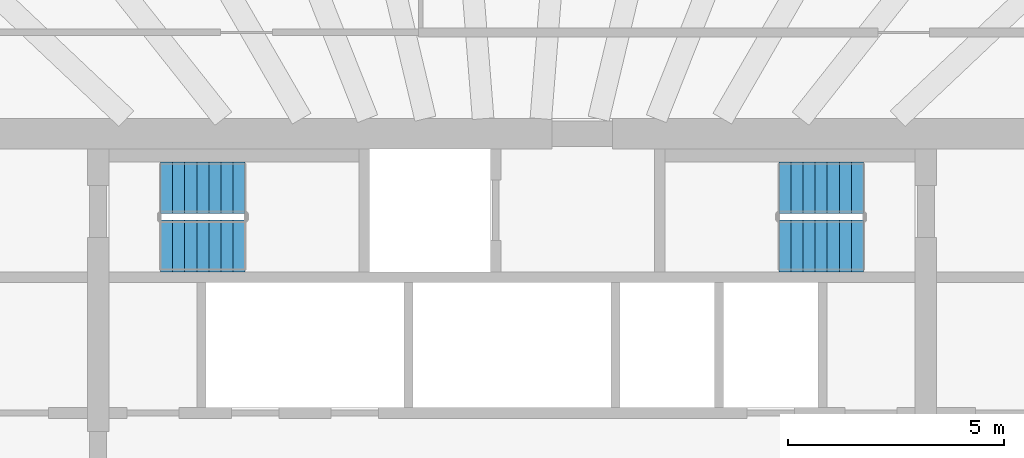
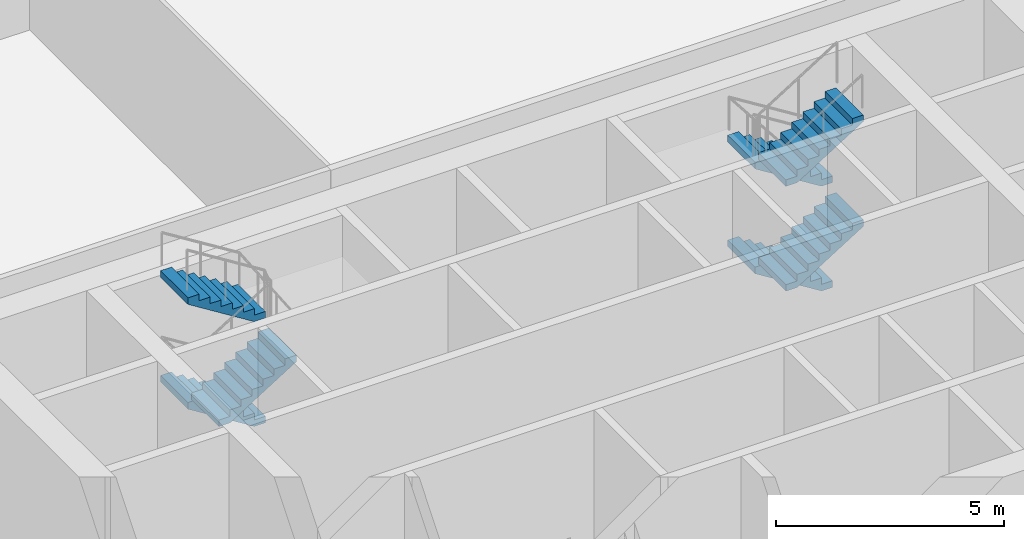
# One storey, part 6 of 8: 7 stair flights, 2 elements without a shape of their own.
"""IFC4 building model written with IfcOpenShell, lengths in metres."""

import ifcopenshell
import ifcopenshell.guid

model = None  # the IFC model being written
_history = None  # IfcOwnerHistory: only IFC2X3 demands one
_inside = {}  # id of a spatial element -> (the spatial element, [elements in it])
_under = {}  # id of a project, library or spatial element -> (it, [spatial elements below it])
_declared = {}  # id of a project -> (the project, [libraries it declares])
_typed = {}  # id of a type object -> (the type object, [elements of that type])
_made_of = {}  # id of a material, layer set ... -> (it, [elements and type objects made of it])


def new_model(schema):
    """Start an empty IFC model of exactly this schema.

    Asked for "IFC4X3", IfcOpenShell would pick the latest addendum, in which some entities
    have other attributes; the version numbers below select the first issue.
    IFC2X3 requires an IfcOwnerHistory on every rooted entity: one is made here for all.
    """
    global model, _history
    if schema == "IFC4X3":
        model = ifcopenshell.file(schema_version=(4, 3, 0, 0))
    else:
        model = ifcopenshell.file(schema=schema)
    _inside.clear()
    _under.clear()
    _declared.clear()
    _typed.clear()
    _made_of.clear()
    _history = None
    if model.schema == "IFC2X3":
        org = make("IfcOrganization", Name="unknown")
        user = make(
            "IfcPersonAndOrganization",
            ThePerson=make("IfcPerson", FamilyName="unknown"),
            TheOrganization=org,
        )
        app = make(
            "IfcApplication",
            ApplicationDeveloper=org,
            Version="unknown",
            ApplicationFullName="unknown",
            ApplicationIdentifier="unknown",
        )
        _history = make(
            "IfcOwnerHistory",
            OwningUser=user,
            OwningApplication=app,
            ChangeAction="ADDED",
            CreationDate=0,
        )
    return model


def make(cls, **values):
    """One entity of the class cls with the attributes given. An attribute that is None is left unset."""
    return model.create_entity(
        cls, **{name: value for name, value in values.items() if value is not None}
    )


def rooted(cls, **values):
    """An entity with a GlobalId (a new one), such as an element, a storey or a relation."""
    return make(cls, GlobalId=ifcopenshell.guid.new(), OwnerHistory=_history, **values)


def si_unit(unit_type, name, prefix=None):
    """IfcSIUnit, for example si_unit("LENGTHUNIT", "METRE", prefix="MILLI")."""
    return make("IfcSIUnit", UnitType=unit_type, Prefix=prefix, Name=name)


def assignment(units):
    """IfcUnitAssignment: the units of a project."""
    return None if units is None else make("IfcUnitAssignment", Units=units)


def point(xyz):
    """IfcCartesianPoint."""
    return None if xyz is None else make("IfcCartesianPoint", Coordinates=xyz)


def direction(xyz):
    """IfcDirection."""
    return None if xyz is None else make("IfcDirection", DirectionRatios=xyz)


def frame(location, z_axis=None, x_axis=None):
    """IfcAxis2Placement3D, a coordinate frame: its origin and axes. An axis left out is left unset."""
    return make(
        "IfcAxis2Placement3D",
        Location=point(location),
        Axis=direction(z_axis),
        RefDirection=direction(x_axis),
    )


def origin():
    """The frame at (0, 0, 0) with its axes left unset."""
    return frame((0.0, 0.0, 0.0))


def place(relative_to, where):
    """IfcLocalPlacement: puts the frame where relative to a parent placement (None: the world)."""
    return make(
        "IfcLocalPlacement", PlacementRelTo=relative_to, RelativePlacement=where
    )


def context(
    kind, dimensions, precision=None, world=None, true_north=None, identifier=None
):
    """IfcGeometricRepresentationContext, for example the 3D "Model" context."""
    return make(
        "IfcGeometricRepresentationContext",
        ContextIdentifier=identifier,
        ContextType=kind,
        CoordinateSpaceDimension=dimensions,
        Precision=precision,
        WorldCoordinateSystem=world,
        TrueNorth=true_north,
    )


def subcontext(parent, identifier, kind, view, scale=None):
    """IfcGeometricRepresentationSubContext, for example "Body" below "Model"."""
    return make(
        "IfcGeometricRepresentationSubContext",
        ContextIdentifier=identifier,
        ContextType=kind,
        ParentContext=parent,
        TargetScale=scale,
        TargetView=view,
    )


def project(units=None, contexts=None):
    """IfcProject with its units and contexts."""
    return rooted(
        "IfcProject",
        Name="project",
        RepresentationContexts=contexts,
        UnitsInContext=assignment(units),
    )


def spatial(cls, under=None, at=None, **own):
    """A site, building, storey or space (cls), placed at a placement, below another one or the project."""
    s = rooted(cls, ObjectPlacement=at, **own)
    if under is not None:
        _under.setdefault(under.id(), (under, []))[1].append(s)
    return s


def polyline(points):
    """IfcPolyline through the points."""
    return make("IfcPolyline", Points=[point(p) for p in points])


def outline(outer, holes=None, kind="AREA"):
    """IfcArbitraryClosedProfileDef: a profile drawn as a closed curve; with holes, ...WithVoids."""
    if holes is None:
        return make("IfcArbitraryClosedProfileDef", ProfileType=kind, OuterCurve=outer)
    return make(
        "IfcArbitraryProfileDefWithVoids",
        ProfileType=kind,
        OuterCurve=outer,
        InnerCurves=holes,
    )


def extrude(swept, where, along, depth):
    """IfcExtrudedAreaSolid: the profile swept, set in the frame where, extruded along a direction by depth."""
    return make(
        "IfcExtrudedAreaSolid",
        SweptArea=swept,
        Position=where,
        ExtrudedDirection=direction(along),
        Depth=depth,
    )


def shape(context_of_items, identifier, shape_type, items):
    """IfcShapeRepresentation: the items that make up one representation, for example the "Body"."""
    return make(
        "IfcShapeRepresentation",
        ContextOfItems=context_of_items,
        RepresentationIdentifier=identifier,
        RepresentationType=shape_type,
        Items=items,
    )


def material(Name=None, Category=None):
    """IfcMaterial."""
    return make("IfcMaterial", Name=Name, Category=Category)


def layer(
    of_material, thickness, ventilated=None, Name=None, Category=None, Priority=None
):
    """IfcMaterialLayer: one layer of a wall or slab, of a material (None: an air gap)."""
    return make(
        "IfcMaterialLayer",
        Material=of_material,
        LayerThickness=thickness,
        IsVentilated=ventilated,
        Name=Name,
        Category=Category,
        Priority=Priority,
    )


def layer_set(layers, Name=None):
    """IfcMaterialLayerSet."""
    return make("IfcMaterialLayerSet", MaterialLayers=layers, LayerSetName=Name)


def made_of(thing, what):
    """Note that an element or type object is made of a material, layer set ...; save() writes the relation."""
    if what is not None:
        _made_of.setdefault(what.id(), (what, []))[1].append(thing)
    return thing


def type_object(cls, material=None, **own):
    """A type object (cls), such as IfcWallType, which elements share."""
    return made_of(rooted(cls, **own), material)


def element(
    cls,
    number,
    at=None,
    inside=None,
    cuts=None,
    type_object=None,
    material=None,
    context=None,
    identifier="Body",
    shape_type=None,
    held_by="IfcProductDefinitionShape",
    body=None,
    shapes=None,
    **own,
):
    """One element of the class cls, such as IfcWall. Its Tag is "e" and its number.

    at: its placement. inside: the storey or other place that contains it. cuts: it is an
    opening in that element (IfcRelVoidsElement). A single representation is given by context,
    identifier, shape_type and body (its items); several are given by shapes. held_by: the class
    of the entity that holds the representations. save() writes the other relations.
    """
    e = rooted(cls, Tag="e%d" % number, ObjectPlacement=at, **own)
    if body is not None:
        shapes = [shape(context, identifier, shape_type, body)]
    if shapes is not None:
        e.Representation = make(held_by, Representations=shapes)
    if inside is not None:
        _inside.setdefault(inside.id(), (inside, []))[1].append(e)
    if cuts is not None:
        rooted(
            "IfcRelVoidsElement", RelatingBuildingElement=cuts, RelatedOpeningElement=e
        )
    if type_object is not None:
        _typed.setdefault(type_object.id(), (type_object, []))[1].append(e)
    return made_of(e, material)


def aggregate(whole, parts):
    """IfcRelAggregates: a whole, such as a stair, and the parts it consists of."""
    return rooted("IfcRelAggregates", RelatingObject=whole, RelatedObjects=parts)


def save(model, path):
    """Write the relations noted so far, then the file.

    IfcRelAggregates (storeys below a building ...), IfcRelContainedInSpatialStructure (elements
    in a storey), IfcRelDefinesByType, IfcRelAssociatesMaterial and IfcRelDeclares: one each for
    every whole, place, type object, material and project.
    """
    for whole, parts in _under.values():
        aggregate(whole, parts)
    for where, things in _inside.values():
        rooted(
            "IfcRelContainedInSpatialStructure",
            RelatedElements=things,
            RelatingStructure=where,
        )
    for kind, things in _typed.values():
        rooted("IfcRelDefinesByType", RelatedObjects=things, RelatingType=kind)
    for what, things in _made_of.values():
        rooted("IfcRelAssociatesMaterial", RelatedObjects=things, RelatingMaterial=what)
    for by, libraries in _declared.values():
        rooted("IfcRelDeclares", RelatingContext=by, RelatedDefinitions=libraries)
    model.write(path)


model = new_model("IFC4")

# Units and contexts
model_context = context("Model", 3, precision=1e-05, world=origin(), true_north=direction((0.0, 1.0)))
body_context = subcontext(model_context, "Body", "Model", "MODEL_VIEW")
ifc_project = project(units=[si_unit("LENGTHUNIT", "METRE"), si_unit("AREAUNIT", "SQUARE_METRE"), si_unit("VOLUMEUNIT", "CUBIC_METRE"), si_unit("PLANEANGLEUNIT", "RADIAN"), si_unit("MASSUNIT", "GRAM", prefix="KILO")], contexts=[model_context])

# Site, building, storey
site_placement = place(None, origin())
site = spatial("IfcSite", under=ifc_project, at=site_placement, CompositionType="ELEMENT")
building_placement = place(site_placement, origin())
building = spatial("IfcBuilding", under=site, at=building_placement, Name="Frailejon Research Tower", CompositionType="ELEMENT")
storey_placement = place(building_placement, frame((0.0, 0.0, 139.60009765625)))
storey = spatial("IfcBuildingStorey", under=building, at=storey_placement, Name="L30", CompositionType="ELEMENT", Elevation=139.60009765625)

# Stair, stair flights
ifc_material_1 = material(Name="Concrete C50/60", Category="concrete")
stair_type = type_object("IfcStairType", Name="Exit stair 32 risers", PredefinedType="HALF_TURN_STAIR", material=ifc_material_1)
stair_1_placement = place(storey_placement, origin())
stair_1 = element("IfcStair", 1, at=stair_1_placement, inside=storey, type_object=stair_type, Name="L30 Exit stair ST1", PredefinedType="HALF_TURN_STAIR")
ifc_material_2 = material(Name="Concrete C50/60", Category="concrete")
ifc_layer = layer(ifc_material_2, 0.14990234375)
ifc_layer_set = layer_set([ifc_layer], Name="Stair flight 8 risers")
stair_flight_type = type_object("IfcStairFlightType", Name="Stair flight 8 risers", PredefinedType="STRAIGHT", material=ifc_layer_set)
stair_flight_1_placement = place(storey_placement, frame((-6.18994140625, 6.85009765625, 1.39990234375), z_axis=(0.0, 0.0, 1.0), x_axis=(-1.0, 0.0, 0.0)))
stair_flight_1 = element("IfcStairFlight", 2, at=stair_flight_1_placement, type_object=stair_flight_type, Name="ST1 flight 2", NumberOfRisers=8, NumberOfTreads=7, PredefinedType="STRAIGHT", RiserHeight=0.175, TreadLength=0.28, context=body_context, shape_type="SweptSolid", body=[
    extrude(outline(polyline([(0.0, 0.0), (0.0, 0.175048828125), (0.280029296875, 0.175048828125), (0.280029296875, 0.35009765625), (0.56005859375, 0.35009765625), (0.56005859375, 0.52490234375), (0.840087890625, 0.52490234375), (0.840087890625, 0.699951171875), (1.1201171875, 0.699951171875), (1.1201171875, 0.875), (1.39990234375, 0.875), (1.39990234375, 1.050048828125), (1.679931640625, 1.050048828125), (1.679931640625, 1.22509765625), (1.9599609375, 1.22509765625), (1.9599609375, 1.39990234375), (1.9599609375, 1.04833984375), (0.28271484375, 0.0), (0.0, 0.0)])), frame((0.0, 0.60009765625, 0.0), z_axis=(0.0, -1.0, 0.0), x_axis=(1.0, 0.0, 0.0)), (0.0, 0.0, 1.0), 1.199951171875),
])
stair_flight_2_placement = place(storey_placement, frame((-8.14990234375, 5.5, 2.7998046875), z_axis=(0.0, 0.0, 1.0), x_axis=(1.0, 0.0, 0.0)))
stair_flight_2 = element("IfcStairFlight", 3, at=stair_flight_2_placement, type_object=stair_flight_type, Name="ST1 flight 3", NumberOfRisers=8, NumberOfTreads=7, PredefinedType="STRAIGHT", RiserHeight=0.175, TreadLength=0.28, context=body_context, shape_type="SweptSolid", body=[
    extrude(outline(polyline([(0.0, 0.0), (0.0, 0.175048828125), (0.280029296875, 0.175048828125), (0.280029296875, 0.35009765625), (0.56005859375, 0.35009765625), (0.56005859375, 0.52490234375), (0.840087890625, 0.52490234375), (0.840087890625, 0.699951171875), (1.1201171875, 0.699951171875), (1.1201171875, 0.875), (1.39990234375, 0.875), (1.39990234375, 1.050048828125), (1.679931640625, 1.050048828125), (1.679931640625, 1.22509765625), (1.9599609375, 1.22509765625), (1.9599609375, 1.39990234375), (1.9599609375, 1.04833984375), (0.28271484375, 0.0), (0.0, 0.0)])), frame((0.0, 0.60009765625, 0.0), z_axis=(0.0, -1.0, 0.0), x_axis=(1.0, 0.0, 0.0)), (0.0, 0.0, 1.0), 1.199951171875),
])
stair_flight_3_placement = place(storey_placement, frame((-6.18994140625, 6.85009765625, 4.199951171875), z_axis=(0.0, 0.0, 1.0), x_axis=(-1.0, 0.0, 0.0)))
stair_flight_3 = element("IfcStairFlight", 4, at=stair_flight_3_placement, type_object=stair_flight_type, Name="ST1 flight 4", NumberOfRisers=8, NumberOfTreads=7, PredefinedType="STRAIGHT", RiserHeight=0.175, TreadLength=0.28, context=body_context, shape_type="SweptSolid", body=[
    extrude(outline(polyline([(0.0, 0.0), (0.0, 0.175048828125), (0.280029296875, 0.175048828125), (0.280029296875, 0.35009765625), (0.56005859375, 0.35009765625), (0.56005859375, 0.52490234375), (0.840087890625, 0.52490234375), (0.840087890625, 0.699951171875), (1.1201171875, 0.699951171875), (1.1201171875, 0.875), (1.39990234375, 0.875), (1.39990234375, 1.050048828125), (1.679931640625, 1.050048828125), (1.679931640625, 1.22509765625), (1.9599609375, 1.22509765625), (1.9599609375, 1.39990234375), (1.9599609375, 1.04833984375), (0.28271484375, 0.0), (0.0, 0.0)])), frame((0.0, 0.60009765625, 0.0), z_axis=(0.0, -1.0, 0.0), x_axis=(1.0, 0.0, 0.0)), (0.0, 0.0, 1.0), 1.199951171875),
])
aggregate(stair_1, [stair_flight_1, stair_flight_2, stair_flight_3])

stair_2_placement = place(storey_placement, origin())
stair_2 = element("IfcStair", 5, at=stair_2_placement, inside=storey, type_object=stair_type, Name="L30 Exit stair ST3", PredefinedType="HALF_TURN_STAIR")
stair_flight_4_placement = place(storey_placement, frame((8.14990234375, 6.85009765625, 0.0), z_axis=(0.0, 0.0, 1.0), x_axis=(-1.0, 0.0, 0.0)))
stair_flight_4 = element("IfcStairFlight", 6, at=stair_flight_4_placement, type_object=stair_flight_type, Name="ST3 flight 1", NumberOfRisers=8, NumberOfTreads=7, PredefinedType="STRAIGHT", RiserHeight=0.175, TreadLength=0.28, context=body_context, shape_type="SweptSolid", body=[
    extrude(outline(polyline([(0.0, 0.0), (0.0, 0.175048828125), (0.280029296875, 0.175048828125), (0.280029296875, 0.35009765625), (0.56005859375, 0.35009765625), (0.56005859375, 0.52490234375), (0.840087890625, 0.52490234375), (0.840087890625, 0.699951171875), (1.1201171875, 0.699951171875), (1.1201171875, 0.875), (1.39990234375, 0.875), (1.39990234375, 1.050048828125), (1.679931640625, 1.050048828125), (1.679931640625, 1.22509765625), (1.9599609375, 1.22509765625), (1.9599609375, 1.39990234375), (1.9599609375, 1.04833984375), (0.28271484375, 0.0), (0.0, 0.0)])), frame((0.0, 0.60009765625, 0.0), z_axis=(0.0, -1.0, 0.0), x_axis=(1.0, 0.0, 0.0)), (0.0, 0.0, 1.0), 1.199951171875),
])
stair_flight_5_placement = place(storey_placement, frame((6.18994140625, 5.5, 1.39990234375), z_axis=(0.0, 0.0, 1.0), x_axis=(1.0, 0.0, 0.0)))
stair_flight_5 = element("IfcStairFlight", 7, at=stair_flight_5_placement, type_object=stair_flight_type, Name="ST3 flight 2", NumberOfRisers=8, NumberOfTreads=7, PredefinedType="STRAIGHT", RiserHeight=0.175, TreadLength=0.28, context=body_context, shape_type="SweptSolid", body=[
    extrude(outline(polyline([(0.0, 0.0), (0.0, 0.175048828125), (0.280029296875, 0.175048828125), (0.280029296875, 0.35009765625), (0.56005859375, 0.35009765625), (0.56005859375, 0.52490234375), (0.840087890625, 0.52490234375), (0.840087890625, 0.699951171875), (1.1201171875, 0.699951171875), (1.1201171875, 0.875), (1.39990234375, 0.875), (1.39990234375, 1.050048828125), (1.679931640625, 1.050048828125), (1.679931640625, 1.22509765625), (1.9599609375, 1.22509765625), (1.9599609375, 1.39990234375), (1.9599609375, 1.04833984375), (0.28271484375, 0.0), (0.0, 0.0)])), frame((0.0, 0.60009765625, 0.0), z_axis=(0.0, -1.0, 0.0), x_axis=(1.0, 0.0, 0.0)), (0.0, 0.0, 1.0), 1.199951171875),
])
stair_flight_6_placement = place(storey_placement, frame((8.14990234375, 6.85009765625, 2.7998046875), z_axis=(0.0, 0.0, 1.0), x_axis=(-1.0, 0.0, 0.0)))
stair_flight_6 = element("IfcStairFlight", 8, at=stair_flight_6_placement, type_object=stair_flight_type, Name="ST3 flight 3", NumberOfRisers=8, NumberOfTreads=7, PredefinedType="STRAIGHT", RiserHeight=0.175, TreadLength=0.28, context=body_context, shape_type="SweptSolid", body=[
    extrude(outline(polyline([(0.0, 0.0), (0.0, 0.175048828125), (0.280029296875, 0.175048828125), (0.280029296875, 0.35009765625), (0.56005859375, 0.35009765625), (0.56005859375, 0.52490234375), (0.840087890625, 0.52490234375), (0.840087890625, 0.699951171875), (1.1201171875, 0.699951171875), (1.1201171875, 0.875), (1.39990234375, 0.875), (1.39990234375, 1.050048828125), (1.679931640625, 1.050048828125), (1.679931640625, 1.22509765625), (1.9599609375, 1.22509765625), (1.9599609375, 1.39990234375), (1.9599609375, 1.04833984375), (0.28271484375, 0.0), (0.0, 0.0)])), frame((0.0, 0.60009765625, 0.0), z_axis=(0.0, -1.0, 0.0), x_axis=(1.0, 0.0, 0.0)), (0.0, 0.0, 1.0), 1.199951171875),
])
stair_flight_7_placement = place(storey_placement, frame((6.18994140625, 5.5, 4.199951171875), z_axis=(0.0, 0.0, 1.0), x_axis=(1.0, 0.0, 0.0)))
stair_flight_7 = element("IfcStairFlight", 9, at=stair_flight_7_placement, type_object=stair_flight_type, Name="ST3 flight 4", NumberOfRisers=8, NumberOfTreads=7, PredefinedType="STRAIGHT", RiserHeight=0.175, TreadLength=0.28, context=body_context, shape_type="SweptSolid", body=[
    extrude(outline(polyline([(0.0, 0.0), (0.0, 0.175048828125), (0.280029296875, 0.175048828125), (0.280029296875, 0.35009765625), (0.56005859375, 0.35009765625), (0.56005859375, 0.52490234375), (0.840087890625, 0.52490234375), (0.840087890625, 0.699951171875), (1.1201171875, 0.699951171875), (1.1201171875, 0.875), (1.39990234375, 0.875), (1.39990234375, 1.050048828125), (1.679931640625, 1.050048828125), (1.679931640625, 1.22509765625), (1.9599609375, 1.22509765625), (1.9599609375, 1.39990234375), (1.9599609375, 1.04833984375), (0.28271484375, 0.0), (0.0, 0.0)])), frame((0.0, 0.60009765625, 0.0), z_axis=(0.0, -1.0, 0.0), x_axis=(1.0, 0.0, 0.0)), (0.0, 0.0, 1.0), 1.199951171875),
])
aggregate(stair_2, [stair_flight_4, stair_flight_5, stair_flight_6, stair_flight_7])

save(model, "model.ifc")
